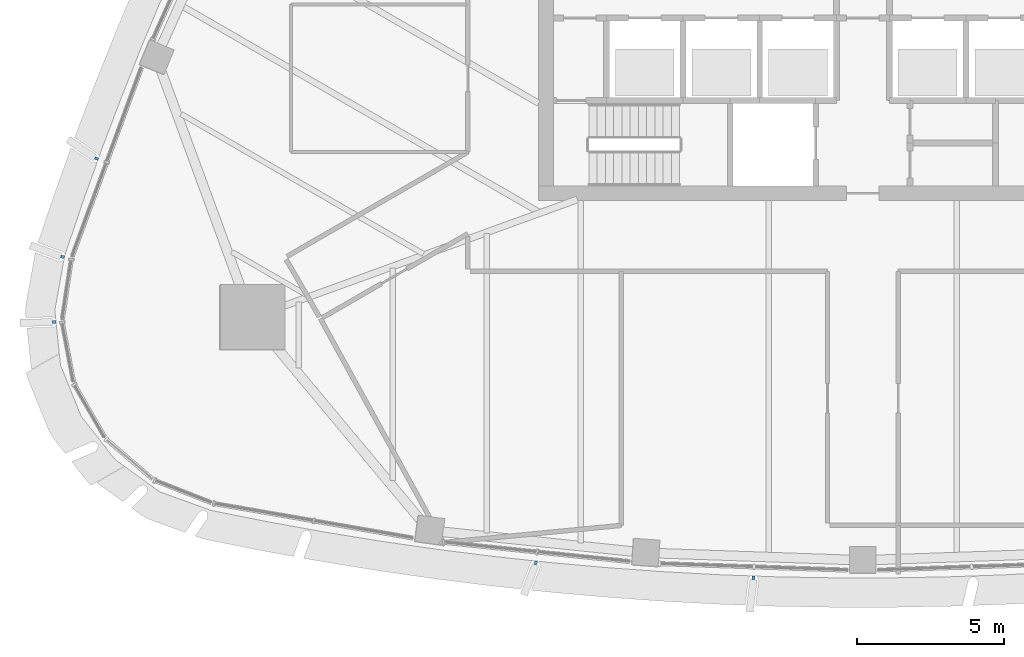
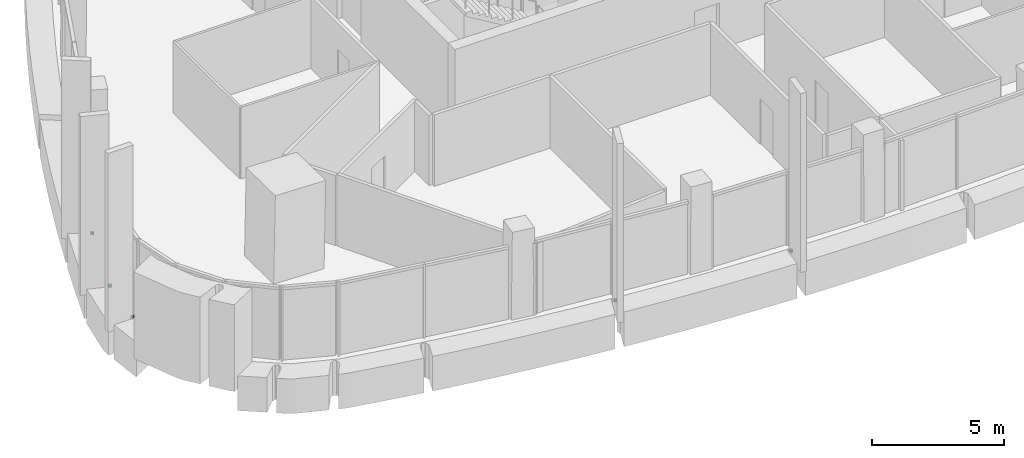
# One storey, part 12 of 18: 5 discrete accessories.
"""IFC4 building model written with IfcOpenShell, lengths in metres."""

from ifc_helpers import new_model, si_unit, direction, frame, origin, origin_2d, place, context, subcontext, project, spatial, rectangle, extrude, material, type_object, element, save


model = new_model("IFC4")

# Units and contexts
model_context = context("Model", 3, precision=1e-05, world=origin(), true_north=direction((0.0, 1.0)))
body_context = subcontext(model_context, "Body", "Model", "MODEL_VIEW")
ifc_project = project(units=[si_unit("LENGTHUNIT", "METRE"), si_unit("AREAUNIT", "SQUARE_METRE"), si_unit("VOLUMEUNIT", "CUBIC_METRE"), si_unit("PLANEANGLEUNIT", "RADIAN"), si_unit("MASSUNIT", "GRAM", prefix="KILO")], contexts=[model_context])

# Site, building, storey
site_placement = place(None, origin())
site = spatial("IfcSite", under=ifc_project, at=site_placement, CompositionType="ELEMENT")
building_placement = place(site_placement, origin())
building = spatial("IfcBuilding", under=site, at=building_placement, Name="Sierra Prisma Convention Tower", CompositionType="ELEMENT")
storey_placement = place(building_placement, frame((0.0, 0.0, 287.0)))
storey = spatial("IfcBuildingStorey", under=building, at=storey_placement, Name="L65", CompositionType="ELEMENT", Elevation=287.0)

# Discrete accessories
ifc_material = material(Name="Stainless steel 316", Category="steel")
discrete_accessory_type = type_object("IfcDiscreteAccessoryType", Name="Fin bracket", PredefinedType="BRACKET", material=ifc_material)
for number, where, z_axis, x_axis, name in (
    (1, (-11.096435546875, -20.287841796875, -0.135009765625), (0.0, 0.0, 1.0), (-0.107455417106, -0.994209904062, 0.0), "Fin bracket L65.5 base"),
    (2, (-3.705810546875, -20.794921875, -0.135009765625), (0.0, 0.0, 1.0), (-0.035880060678, -0.999356103321, 0.0), "Fin bracket L65.8 base"),
    (3, (-25.99951171875, -6.574462890625, -0.135009765625), (0.0, 0.0, 1.0), (-0.941359220205, 0.337406014372, 0.0), "Fin bracket L65.61 base"),
    (4, (-27.150390625, -9.908447265625, -0.135009765625), (0.0, 0.0, 1.0), (-0.984358097812, 0.176179270266, 0.0), "Fin bracket L65.62 base"),
    (5, (-27.43359375, -12.12060546875, -0.135009765625), (0.0, 0.0, 1.0), (-0.994681940582, -0.1029943546, 0.0), "Fin bracket L65.63 base"),
):
    element("IfcDiscreteAccessory", number, at=place(storey_placement, frame(where, z_axis=z_axis, x_axis=x_axis)), inside=storey, type_object=discrete_accessory_type, Name=name, PredefinedType="BRACKET", context=body_context, shape_type="SweptSolid", body=[
        extrude(rectangle(XDim=0.1201171875, YDim=0.10009765625, at=origin_2d()), origin(), (0.0, 0.0, 1.0), 0.1201171875),
    ])

save(model, "model.ifc")
